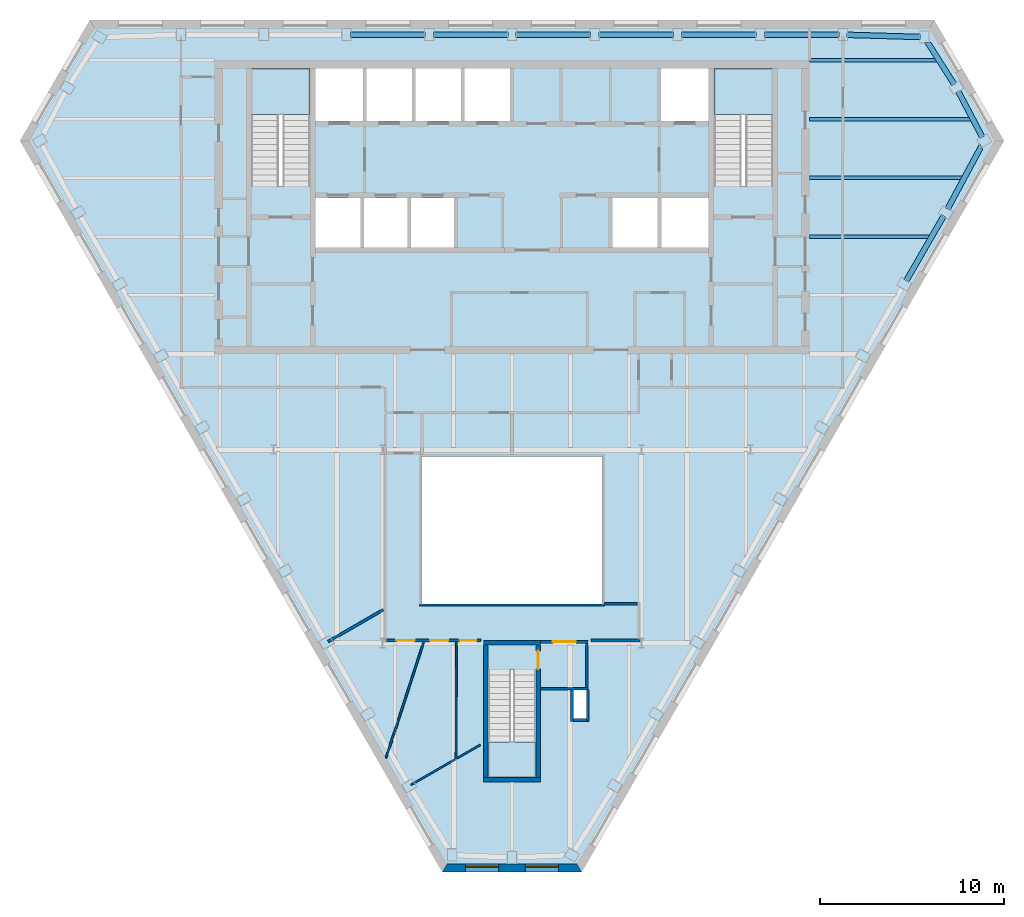
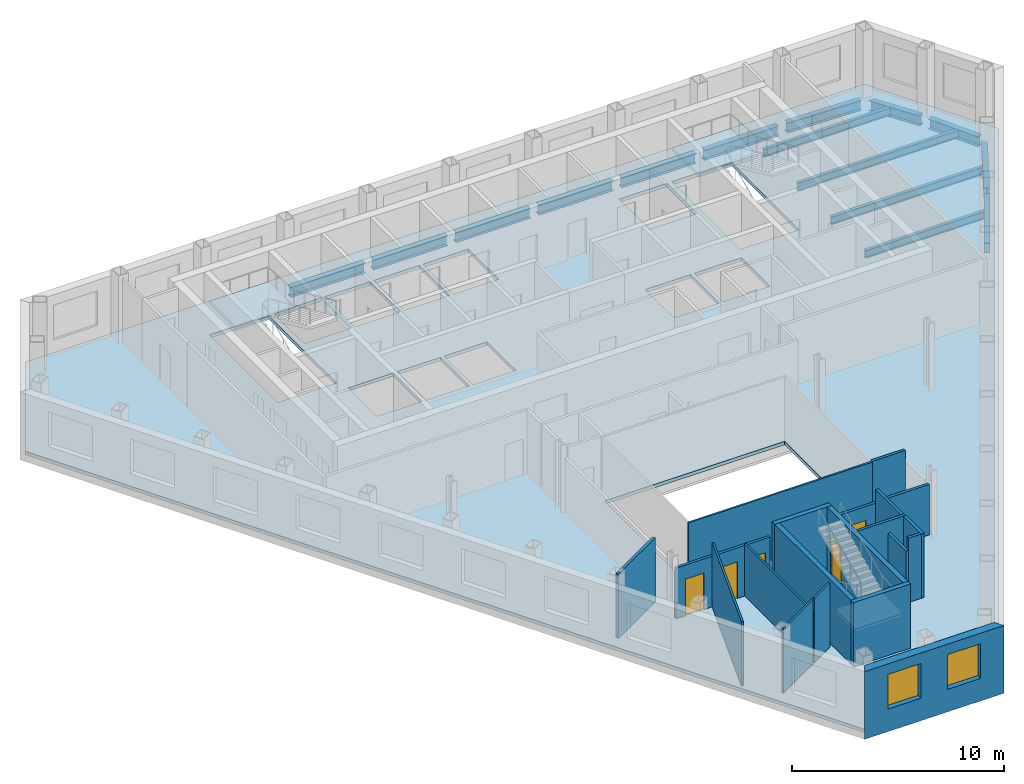
# One storey, part 3 of 10: 20 walls, 15 beams, 5 doors, 4 slabs, 2 windows, 7 openings, 3 elements without a shape of their own.
"""IFC4 building model written with IfcOpenShell, lengths in metres."""

from ifc_helpers import new_model, si_unit, direction, frame, frame_2d, origin, origin_2d, place, context, subcontext, project, spatial, polyline, rectangle, i_section, outline, extrude, clip, halfspace, material, layer, layer_set, material_profile, profile_set, type_object, element, fill, aggregate, save


model = new_model("IFC4")

# Units and contexts
model_context = context("Model", 3, precision=1e-05, world=origin(), true_north=direction((0.0, 1.0)))
body_context = subcontext(model_context, "Body", "Model", "MODEL_VIEW")
ifc_project = project(units=[si_unit("LENGTHUNIT", "METRE"), si_unit("AREAUNIT", "SQUARE_METRE"), si_unit("VOLUMEUNIT", "CUBIC_METRE"), si_unit("PLANEANGLEUNIT", "RADIAN"), si_unit("MASSUNIT", "GRAM", prefix="KILO")], contexts=[model_context])

# Site, building, storey
site_placement = place(None, origin())
site = spatial("IfcSite", under=ifc_project, at=site_placement, CompositionType="ELEMENT")
building_placement = place(site_placement, origin())
building = spatial("IfcBuilding", under=site, at=building_placement, Name="Njiva Tower", CompositionType="ELEMENT")
storey_placement = place(building_placement, frame((0.0, 0.0, 196.5)))
storey = spatial("IfcBuildingStorey", under=building, at=storey_placement, Name="L43", CompositionType="ELEMENT", Elevation=196.5)

# Beams
ifc_material_1 = material(Name="Steel S355 J2", Category="steel")
ifc_material_profile_1 = material_profile(ifc_material_1, i_section(OverallWidth=0.3, OverallDepth=0.59, WebThickness=0.013, FlangeThickness=0.025, at=origin_2d()), Name="HEA 600")
ifc_profile_set_1 = profile_set([ifc_material_profile_1], Name="Steel S355 J2")
beam_type_1 = type_object("IfcBeamType", Name="B27 Short-span spandrel beam HEA 600", PredefinedType="SPANDREL", material=ifc_profile_set_1)
beam_1_placement = place(storey_placement, frame((22.232, 19.274, -0.495), z_axis=(-0.999551735133, 0.029938750687, 0.0), x_axis=(-0.029938750687, -0.999551735133, 0.0)))
element("IfcBeam", 1, at=beam_1_placement, inside=storey, type_object=beam_type_1, Name="Short-span spandrel beam S14-B132", PredefinedType="SPANDREL", context=body_context, shape_type="SweptSolid", body=[
    extrude(i_section(OverallWidth=0.3, OverallDepth=0.59, WebThickness=0.013, FlangeThickness=0.025, at=origin_2d()), origin(), (0.0, 0.0, 1.0), 3.9748),
])
beam_2_placement = place(storey_placement, frame((17.805, 19.4, -0.495), z_axis=(-1.0, 0.0, 0.0), x_axis=(0.0, -1.0, 0.0)))
element("IfcBeam", 2, at=beam_2_placement, inside=storey, type_object=beam_type_1, Name="Short-span spandrel beam S14-B127", PredefinedType="SPANDREL", context=body_context, shape_type="SweptSolid", body=[
    extrude(i_section(OverallWidth=0.3, OverallDepth=0.59, WebThickness=0.013, FlangeThickness=0.025, at=origin_2d()), origin(), (0.0, 0.0, 1.0), 4.057),
])
beam_3_placement = place(storey_placement, frame((13.298, 19.4, -0.495), z_axis=(-1.0, 0.0, 0.0), x_axis=(0.0, -1.0, 0.0)))
element("IfcBeam", 3, at=beam_3_placement, inside=storey, type_object=beam_type_1, Name="Short-span spandrel beam S14-B122", PredefinedType="SPANDREL", context=body_context, shape_type="SweptSolid", body=[
    extrude(i_section(OverallWidth=0.3, OverallDepth=0.59, WebThickness=0.013, FlangeThickness=0.025, at=origin_2d()), origin(), (0.0, 0.0, 1.0), 4.058),
])
beam_4_placement = place(storey_placement, frame((8.79, 19.4, -0.495), z_axis=(-1.0, 0.0, 0.0), x_axis=(0.0, -1.0, 0.0)))
element("IfcBeam", 4, at=beam_4_placement, inside=storey, type_object=beam_type_1, Name="Short-span spandrel beam S14-B117", PredefinedType="SPANDREL", context=body_context, shape_type="SweptSolid", body=[
    extrude(i_section(OverallWidth=0.3, OverallDepth=0.59, WebThickness=0.013, FlangeThickness=0.025, at=origin_2d()), origin(), (0.0, 0.0, 1.0), 4.057),
])
for number, where, z_axis, x_axis, name in (
    (5, (4.283, 19.4, -0.495), (-1.0, 0.0, 0.0), (0.0, -1.0, 0.0), "Short-span spandrel beam S14-B112"),
    (6, (-0.225, 19.4, -0.495), (-1.0, 0.0, 0.0), (0.0, -1.0, 0.0), "Short-span spandrel beam S14-B109"),
):
    element("IfcBeam", number, at=place(storey_placement, frame(where, z_axis=z_axis, x_axis=x_axis)), inside=storey, type_object=beam_type_1, Name=name, PredefinedType="SPANDREL", context=body_context, shape_type="SweptSolid", body=[
        extrude(i_section(OverallWidth=0.3, OverallDepth=0.59, WebThickness=0.013, FlangeThickness=0.025, at=origin_2d()), origin(), (0.0, 0.0, 1.0), 4.058),
    ])
beam_5_placement = place(storey_placement, frame((-4.733, 19.4, -0.495), z_axis=(-1.0, 0.0, 0.0), x_axis=(0.0, -1.0, 0.0)))
element("IfcBeam", 7, at=beam_5_placement, inside=storey, type_object=beam_type_1, Name="Short-span spandrel beam S14-B104", PredefinedType="SPANDREL", context=body_context, shape_type="SweptSolid", body=[
    extrude(i_section(OverallWidth=0.3, OverallDepth=0.59, WebThickness=0.013, FlangeThickness=0.025, at=origin_2d()), origin(), (0.0, 0.0, 1.0), 4.057),
])
beam_6_placement = place(storey_placement, frame((21.481, 6.006, -0.495), z_axis=(0.500142068684, 0.865943364853, 0.0), x_axis=(-0.865943364853, 0.500142068684, 0.0)))
element("IfcBeam", 8, at=beam_6_placement, inside=storey, type_object=beam_type_1, Name="Short-span spandrel beam S14-B136", PredefinedType="SPANDREL", context=body_context, shape_type="SweptSolid", body=[
    extrude(i_section(OverallWidth=0.3, OverallDepth=0.59, WebThickness=0.013, FlangeThickness=0.025, at=origin_2d()), origin(), (0.0, 0.0, 1.0), 4.0568),
])
beam_7_placement = place(storey_placement, frame((23.731, 9.915, -0.495), z_axis=(0.473697336162, 0.880687704986, 0.0), x_axis=(-0.880687704986, 0.473697336162, 0.0)))
element("IfcBeam", 9, at=beam_7_placement, inside=storey, type_object=beam_type_1, Name="Short-span spandrel beam S14-B140", PredefinedType="SPANDREL", context=body_context, shape_type="Clipping", body=[
    clip(extrude(i_section(OverallWidth=0.3, OverallDepth=0.59, WebThickness=0.013, FlangeThickness=0.025, at=origin_2d()), origin(), (0.0, 0.0, 1.0), 3.9657), halfspace(frame((-0.026, 0.0, 3.8362), z_axis=(-0.525851211947, 0.0, 0.850576570859), x_axis=(0.0, 1.0, 0.0)), False)),
])
beam_8_placement = place(storey_placement, frame((25.616, 13.822, -0.495), z_axis=(-0.464393456364, 0.885628995509, 0.0), x_axis=(-0.885628995509, -0.464393456364, 0.0)))
element("IfcBeam", 10, at=beam_8_placement, inside=storey, type_object=beam_type_1, Name="Short-span spandrel beam S14-B141", PredefinedType="SPANDREL", context=body_context, shape_type="SweptSolid", body=[
    extrude(i_section(OverallWidth=0.3, OverallDepth=0.59, WebThickness=0.013, FlangeThickness=0.025, at=origin_2d()), origin(), (0.0, 0.0, 1.0), 2.8037),
])
beam_9_placement = place(storey_placement, frame((24.084, 16.704, -0.495), z_axis=(-0.53498990648, 0.844858449661, 0.0), x_axis=(-0.844858449661, -0.53498990648, 0.0)))
element("IfcBeam", 11, at=beam_9_placement, inside=storey, type_object=beam_type_1, Name="Short-span spandrel beam S14-B137", PredefinedType="SPANDREL", context=body_context, shape_type="Clipping", body=[
    clip(extrude(i_section(OverallWidth=0.3, OverallDepth=0.59, WebThickness=0.013, FlangeThickness=0.025, at=origin_2d()), origin(), (0.0, 0.0, 1.0), 2.7936), halfspace(frame((-0.0269, 0.0, 2.6615), z_axis=(-0.53498990648, 0.0, 0.844858449661), x_axis=(0.0, 1.0, 0.0)), False)),
])
ifc_material_profile_2 = material_profile(ifc_material_1, i_section(OverallWidth=0.19, OverallDepth=0.45, WebThickness=0.0094, FlangeThickness=0.0146, at=origin_2d()), Name="IPE 450")
ifc_profile_set_2 = profile_set([ifc_material_profile_2], Name="Steel S355 J2")
beam_type_2 = type_object("IfcBeamType", Name="B37 Floor beam to the core IPE 450", PredefinedType="BEAM", material=ifc_profile_set_2)
beam_10_placement = place(storey_placement, frame((16.2, 8.4, -0.425), z_axis=(1.0, 0.0, 0.0), x_axis=(0.0, 1.0, 0.0)))
element("IfcBeam", 12, at=beam_10_placement, inside=storey, type_object=beam_type_2, Name="Floor beam to the core S14-B007", PredefinedType="BEAM", context=body_context, shape_type="Clipping", body=[
    clip(extrude(i_section(OverallWidth=0.19, OverallDepth=0.45, WebThickness=0.0094, FlangeThickness=0.0146, at=origin_2d()), origin(), (0.0, 0.0, 1.0), 6.623), halfspace(frame((-0.025, 0.0, 6.5336), z_axis=(-0.499998009787, 0.0, 0.866026552831), x_axis=(0.0, 1.0, 0.0)), False)),
])
beam_11_placement = place(storey_placement, frame((16.2, 11.6, -0.425), z_axis=(1.0, 0.0, 0.0), x_axis=(0.0, 1.0, 0.0)))
element("IfcBeam", 13, at=beam_11_placement, inside=storey, type_object=beam_type_2, Name="Floor beam to the core S14-B008", PredefinedType="BEAM", context=body_context, shape_type="Clipping", body=[
    clip(extrude(i_section(OverallWidth=0.19, OverallDepth=0.45, WebThickness=0.0094, FlangeThickness=0.0146, at=origin_2d()), origin(), (0.0, 0.0, 1.0), 8.394), halfspace(frame((-0.0237, 0.0, 8.3105), z_axis=(-0.473769423091, 0.0, 0.880648927634), x_axis=(0.0, 1.0, 0.0)), False)),
])
beam_12_placement = place(storey_placement, frame((16.2, 14.8, -0.425), z_axis=(1.0, 0.0, 0.0), x_axis=(0.0, 1.0, 0.0)))
element("IfcBeam", 14, at=beam_12_placement, inside=storey, type_object=beam_type_2, Name="Floor beam to the core S14-B009", PredefinedType="BEAM", context=body_context, shape_type="Clipping", body=[
    clip(extrude(i_section(OverallWidth=0.19, OverallDepth=0.45, WebThickness=0.0094, FlangeThickness=0.0146, at=origin_2d()), origin(), (0.0, 0.0, 1.0), 8.86), halfspace(frame((0.0232, 0.0, 8.778), z_axis=(0.464267418007, 0.0, 0.885695074265), x_axis=(0.0, 1.0, 0.0)), False)),
])
beam_13_placement = place(storey_placement, frame((16.2, 18.0, -0.425), z_axis=(1.0, 0.0, 0.0), x_axis=(0.0, 1.0, 0.0)))
element("IfcBeam", 15, at=beam_13_placement, inside=storey, type_object=beam_type_2, Name="Floor beam to the core S14-B010", PredefinedType="BEAM", context=body_context, shape_type="Clipping", body=[
    clip(extrude(i_section(OverallWidth=0.19, OverallDepth=0.45, WebThickness=0.0094, FlangeThickness=0.0146, at=origin_2d()), origin(), (0.0, 0.0, 1.0), 7.025), halfspace(frame((0.0267, 0.0, 6.928), z_axis=(0.534902428971, 0.0, 0.84491383672), x_axis=(0.0, 1.0, 0.0)), False)),
])

# Stair, slab
ifc_material_2 = material(Name="Concrete C40/50", Category="concrete")
stair_type_1 = type_object("IfcStairType", Name="ST4 Exit stair 1500", PredefinedType="HALF_TURN_STAIR", material=ifc_material_2)
stair_1_placement = place(storey_placement, origin())
stair_1 = element("IfcStair", 16, at=stair_1_placement, inside=storey, type_object=stair_type_1, Name="Stair A", PredefinedType="HALF_TURN_STAIR")
ifc_layer_1 = layer(ifc_material_2, 0.2)
ifc_layer_set_1 = layer_set([ifc_layer_1], Name="Concrete C40/50")
slab_type_1 = type_object("IfcSlabType", Name="FL9 Stair landing 200", PredefinedType="LANDING", material=ifc_layer_set_1)
slab_1_placement = place(storey_placement, frame((0.0, 0.0, 1.75)))
slab_1 = element("IfcSlab", 17, at=slab_1_placement, type_object=slab_type_1, Name="ST-A landing 1", PredefinedType="LANDING", context=body_context, shape_type="SweptSolid", body=[
    extrude(outline(polyline([(-14.206, 15.06), (-10.994, 15.06), (-10.994, 17.55), (-14.206, 17.55), (-14.206, 15.06)])), origin(), (0.0, 0.0, 1.0), 0.2),
])
aggregate(stair_1, [slab_1])

stair_2_placement = place(storey_placement, origin())
stair_2 = element("IfcStair", 18, at=stair_2_placement, inside=storey, type_object=stair_type_1, Name="Stair B", PredefinedType="HALF_TURN_STAIR")
slab_2_placement = place(storey_placement, frame((0.0, 0.0, 1.75)))
slab_2 = element("IfcSlab", 19, at=slab_2_placement, type_object=slab_type_1, Name="ST-B landing 1", PredefinedType="LANDING", context=body_context, shape_type="SweptSolid", body=[
    extrude(outline(polyline([(10.994, 15.06), (14.206, 15.06), (14.206, 17.55), (10.994, 17.55), (10.994, 15.06)])), origin(), (0.0, 0.0, 1.0), 0.2),
])
aggregate(stair_2, [slab_2])

stair_type_2 = type_object("IfcStairType", Name="ST1 Exit stair 1250", PredefinedType="HALF_TURN_STAIR", material=ifc_material_2)
stair_3_placement = place(storey_placement, origin())
stair_3 = element("IfcStair", 20, at=stair_3_placement, inside=storey, type_object=stair_type_2, Name="Stair C", PredefinedType="HALF_TURN_STAIR")
slab_3_placement = place(storey_placement, frame((0.0, 0.0, 1.75)))
slab_3 = element("IfcSlab", 21, at=slab_3_placement, type_object=slab_type_1, Name="ST-C landing 1", PredefinedType="LANDING", context=body_context, shape_type="SweptSolid", body=[
    extrude(outline(polyline([(-1.306, -21.05), (1.306, -21.05), (1.306, -19.12), (-1.306, -19.12), (-1.306, -21.05)])), origin(), (0.0, 0.0, 1.0), 0.2),
])
aggregate(stair_3, [slab_3])

# Slab
ifc_material_3 = material(Name="Concrete C30/37", Category="concrete")
ifc_layer_2 = layer(ifc_material_3, 0.2)
ifc_layer_set_2 = layer_set([ifc_layer_2], Name="Concrete C30/37")
slab_type_2 = type_object("IfcSlabType", Name="SL16 Composite floor slab 200", PredefinedType="FLOOR", material=ifc_layer_set_2)
slab_4_placement = place(storey_placement, frame((0.0, 0.0, -0.2)))
element("IfcSlab", 22, at=slab_4_placement, inside=storey, type_object=slab_type_2, Name="Floor slab L43", PredefinedType="FLOOR", context=body_context, shape_type="SweptSolid", body=[
    extrude(outline(polyline([(26.5402, 13.6182), (3.6701, -25.994), (-3.6701, -25.994), (-26.5402, 13.6182), (-22.8701, 19.975), (22.8701, 19.975), (26.5402, 13.6182)]), holes=[polyline([(10.994, 11.13), (14.206, 11.13), (14.206, 17.55), (10.994, 17.55), (10.994, 11.13)]), polyline([(8.125, 14.7), (10.7, 14.7), (10.7, 17.55), (8.125, 17.55), (8.125, 14.7)]), polyline([(8.1333, 7.8), (10.7, 7.8), (10.7, 10.5), (8.1333, 10.5), (8.1333, 7.8)]), polyline([(5.4667, 7.8), (7.9333, 7.8), (7.9333, 10.5), (5.4667, 10.5), (5.4667, 7.8)]), polyline([(4.9, -11.6), (4.9, -3.6), (-4.9, -3.6), (-4.9, -11.6), (4.9, -11.6)]), polyline([(3.35, -17.85), (4.05, -17.85), (4.05, -16.3), (3.35, -16.3), (3.35, -17.85)]), polyline([(-1.306, -21.05), (1.306, -21.05), (1.306, -15.19), (-1.306, -15.19), (-1.306, -21.05)]), polyline([(-2.575, 14.7), (-0.1, 14.7), (-0.1, 17.55), (-2.575, 17.55), (-2.575, 14.7)]), polyline([(-5.25, 14.7), (-2.775, 14.7), (-2.775, 17.55), (-5.25, 17.55), (-5.25, 14.7)]), polyline([(-5.5, 7.8), (-3.15, 7.8), (-3.15, 10.5), (-5.5, 10.5), (-5.5, 7.8)]), polyline([(-7.925, 14.7), (-5.45, 14.7), (-5.45, 17.55), (-7.925, 17.55), (-7.925, 14.7)]), polyline([(-8.05, 7.8), (-5.7, 7.8), (-5.7, 10.5), (-8.05, 10.5), (-8.05, 7.8)]), polyline([(-10.7, 14.7), (-8.125, 14.7), (-8.125, 17.55), (-10.7, 17.55), (-10.7, 14.7)]), polyline([(-8.25, 7.8), (-8.25, 10.5), (-10.7, 10.5), (-10.7, 7.8), (-8.25, 7.8)]), polyline([(-14.206, 11.13), (-10.994, 11.13), (-10.994, 17.55), (-14.206, 17.55), (-14.206, 11.13)])]), origin(), (0.0, 0.0, 1.0), 0.2),
])

# Walls
ifc_material_4 = material(Name="Gypsum board on steel studs", Category="gypsum")
ifc_layer_3 = layer(ifc_material_4, 0.1)
ifc_layer_set_3 = layer_set([ifc_layer_3], Name="Gypsum board on steel studs")
wall_type_1 = type_object("IfcWallType", Name="WT20 Gypsum partition 100", PredefinedType="PARTITIONING", material=ifc_layer_set_3)
wall_1_placement = place(storey_placement, frame((-6.866, -20.008, 0.0), z_axis=(0.0, 0.0, 1.0), x_axis=(0.309446795586, 0.95091675803, 0.0)))
element("IfcWall", 23, at=wall_1_placement, inside=storey, type_object=wall_type_1, Name="Partition S14-P010", PredefinedType="PARTITIONING", context=body_context, shape_type="SweptSolid", body=[
    extrude(rectangle(XDim=6.6441, YDim=0.1, at=frame_2d((3.322, 0.0))), origin(), (0.0, 0.0, 1.0), 3.7),
])
wall_2_placement = place(storey_placement, frame((-5.505, -21.465, 0.0), z_axis=(0.0, 0.0, 1.0), x_axis=(0.866269282503, 0.49957735156, 0.0)))
element("IfcWall", 24, at=wall_2_placement, inside=storey, type_object=wall_type_1, Name="Partition S14-P013", PredefinedType="PARTITIONING", context=body_context, shape_type="SweptSolid", body=[
    extrude(rectangle(XDim=2.7844, YDim=0.1, at=frame_2d((1.3922, 0.0))), origin(), (0.0, 0.0, 1.0), 3.7),
])
wall_3_placement = place(storey_placement, frame((-3.056, -20.051, 0.0), z_axis=(0.0, 0.0, 1.0), x_axis=(0.002979911487, 0.999995560054, 0.0)))
element("IfcWall", 25, at=wall_3_placement, inside=storey, type_object=wall_type_1, Name="Partition S14-P015", PredefinedType="PARTITIONING", context=body_context, shape_type="SweptSolid", body=[
    extrude(rectangle(XDim=6.376, YDim=0.1, at=frame_2d((3.188, 0.0))), origin(), (0.0, 0.0, 1.0), 3.01),
])
wall_4_placement = place(storey_placement, frame((-2.981, -20.009, 0.0), z_axis=(0.0, 0.0, 1.0), x_axis=(0.866070766281, 0.499921421619, 0.0)))
element("IfcWall", 26, at=wall_4_placement, inside=storey, type_object=wall_type_1, Name="Partition S14-P016", PredefinedType="PARTITIONING", context=body_context, shape_type="SweptSolid", body=[
    extrude(rectangle(XDim=1.4502, YDim=0.1, at=frame_2d((0.7251, 0.0))), origin(), (0.0, 0.0, 1.0), 3.7),
])
ifc_layer_4 = layer(ifc_material_4, 0.15)
ifc_layer_set_4 = layer_set([ifc_layer_4], Name="Gypsum board on steel studs")
wall_type_2 = type_object("IfcWallType", Name="WT21 Compartment wall 150", PredefinedType="PARTITIONING", material=ifc_layer_set_4)
wall_5_placement = place(storey_placement, frame((-10.013, -13.658, 0.0), z_axis=(0.0, 0.0, 1.0), x_axis=(0.865906746611, 0.500205463959, 0.0)))
element("IfcWall", 27, at=wall_5_placement, inside=storey, type_object=wall_type_2, Name="Partition S14-P006", PredefinedType="PARTITIONING", context=body_context, shape_type="SweptSolid", body=[
    extrude(rectangle(XDim=3.4646, YDim=0.15, at=frame_2d((1.7323, 0.0))), origin(), (0.0, 0.0, 1.0), 3.7),
])

# Wall, openings, doors
wall_6_placement = place(storey_placement, frame((-6.825, -13.6, 0.0), z_axis=(0.0, 0.0, 1.0), x_axis=(1.0, 0.0, 0.0)))
wall_6 = element("IfcWall", 28, at=wall_6_placement, inside=storey, type_object=wall_type_2, Name="Partition S14-P011", PredefinedType="PARTITIONING", context=body_context, shape_type="SweptSolid", body=[
    extrude(rectangle(XDim=5.125, YDim=0.15, at=frame_2d((2.5625, 0.0))), origin(), (0.0, 0.0, 1.0), 2.91),
])
opening_1_placement = place(wall_6_placement, frame((0.522, 0.0, 0.0)))
opening_1 = element("IfcOpeningElement", 29, at=opening_1_placement, cuts=wall_6, Name="Opening S14-D006", PredefinedType="OPENING", context=body_context, shape_type="SweptSolid", body=[
    extrude(rectangle(XDim=1.0, YDim=2.1, at=frame_2d((0.5, 1.05))), frame((0.0, 0.085, 0.0), z_axis=(0.0, -1.0, 0.0), x_axis=(1.0, 0.0, 0.0)), (0.0, 0.0, 1.0), 0.17),
])
opening_2_placement = place(wall_6_placement, frame((2.359, 0.0, 0.0)))
opening_2 = element("IfcOpeningElement", 30, at=opening_2_placement, cuts=wall_6, Name="Opening S14-D007", PredefinedType="OPENING", context=body_context, shape_type="SweptSolid", body=[
    extrude(rectangle(XDim=1.0, YDim=2.1, at=frame_2d((0.5, 1.05))), frame((0.0, 0.085, 0.0), z_axis=(0.0, -1.0, 0.0), x_axis=(1.0, 0.0, 0.0)), (0.0, 0.0, 1.0), 0.17),
])
opening_3_placement = place(wall_6_placement, frame((3.988, 0.0, 0.0)))
opening_3 = element("IfcOpeningElement", 31, at=opening_3_placement, cuts=wall_6, Name="Opening S14-D008", PredefinedType="OPENING", context=body_context, shape_type="SweptSolid", body=[
    extrude(rectangle(XDim=0.9, YDim=2.1, at=frame_2d((0.45, 1.05))), frame((0.0, 0.085, 0.0), z_axis=(0.0, -1.0, 0.0), x_axis=(1.0, 0.0, 0.0)), (0.0, 0.0, 1.0), 0.17),
])
ifc_material_5 = material(Name="Steel fire door set", Category="steel")
door_type_1 = type_object("IfcDoorType", Name="D36 Fire door 900x2100", OperationType="SINGLE_SWING_LEFT", PredefinedType="DOOR", material=ifc_material_5)
door_1_placement = place(opening_3_placement, origin())
door_1 = element("IfcDoor", 32, at=door_1_placement, inside=storey, type_object=door_type_1, Name="Door S14-D008", OperationType="SINGLE_SWING_RIGHT", OverallHeight=2.1, OverallWidth=0.9, PredefinedType="DOOR", context=body_context, shape_type="SweptSolid", body=[
    extrude(rectangle(XDim=0.9, YDim=2.1, at=frame_2d((0.45, 1.05))), frame((0.0, 0.025, 0.0), z_axis=(0.0, -1.0, 0.0), x_axis=(1.0, 0.0, 0.0)), (0.0, 0.0, 1.0), 0.05),
])
fill(opening_3, door_1)
door_type_2 = type_object("IfcDoorType", Name="D37 Fire door 1000x2100", OperationType="SINGLE_SWING_LEFT", PredefinedType="DOOR", material=ifc_material_5)
door_2_placement = place(opening_1_placement, origin())
door_2 = element("IfcDoor", 33, at=door_2_placement, inside=storey, type_object=door_type_2, Name="Door S14-D006", OperationType="SINGLE_SWING_LEFT", OverallHeight=2.1, OverallWidth=1.0, PredefinedType="DOOR", context=body_context, shape_type="SweptSolid", body=[
    extrude(rectangle(XDim=1.0, YDim=2.1, at=frame_2d((0.5, 1.05))), frame((0.0, 0.025, 0.0), z_axis=(0.0, -1.0, 0.0), x_axis=(1.0, 0.0, 0.0)), (0.0, 0.0, 1.0), 0.05),
])
fill(opening_1, door_2)
door_3_placement = place(opening_2_placement, origin())
door_3 = element("IfcDoor", 34, at=door_3_placement, inside=storey, type_object=door_type_2, Name="Door S14-D007", OperationType="SINGLE_SWING_RIGHT", OverallHeight=2.1, OverallWidth=1.0, PredefinedType="DOOR", context=body_context, shape_type="SweptSolid", body=[
    extrude(rectangle(XDim=1.0, YDim=2.1, at=frame_2d((0.5, 1.05))), frame((0.0, 0.025, 0.0), z_axis=(0.0, -1.0, 0.0), x_axis=(1.0, 0.0, 0.0)), (0.0, 0.0, 1.0), 0.05),
])
fill(opening_2, door_3)

# Walls
wall_7_placement = place(storey_placement, frame((4.3, -13.6, 0.0), z_axis=(0.0, 0.0, 1.0), x_axis=(1.0, 0.0, 0.0)))
element("IfcWall", 35, at=wall_7_placement, inside=storey, type_object=wall_type_2, Name="Partition S14-P018", PredefinedType="PARTITIONING", context=body_context, shape_type="SweptSolid", body=[
    extrude(rectangle(XDim=2.675, YDim=0.15, at=frame_2d((1.3375, 0.0))), origin(), (0.0, 0.0, 1.0), 2.91),
])
wall_8_placement = place(storey_placement, frame((5.02, -11.6, 0.0), z_axis=(0.0, 0.0, 1.0), x_axis=(1.0, 0.0, 0.0)))
element("IfcWall", 36, at=wall_8_placement, inside=storey, type_object=wall_type_2, Name="Partition S14-P019", PredefinedType="PARTITIONING", context=body_context, shape_type="SweptSolid", body=[
    extrude(rectangle(XDim=1.805, YDim=0.15, at=frame_2d((0.9025, 0.0))), origin(), (0.0, 0.0, 1.0), 3.7),
])
ifc_material_6 = material(Name="Blockwork", Category="masonry")
ifc_layer_5 = layer(ifc_material_6, 0.15)
ifc_layer_set_5 = layer_set([ifc_layer_5], Name="Blockwork")
wall_type_3 = type_object("IfcWallType", Name="WT4 Stair partition 150", PredefinedType="PARTITIONING", material=ifc_layer_set_5)
wall_9_placement = place(storey_placement, frame((1.55, -16.225, 0.0), z_axis=(0.0, 0.0, 1.0), x_axis=(1.0, 0.0, 0.0)))
element("IfcWall", 37, at=wall_9_placement, inside=storey, type_object=wall_type_3, Name="Stair C vestibule wall south", PredefinedType="PARTITIONING", context=body_context, shape_type="SweptSolid", body=[
    extrude(rectangle(XDim=2.6, YDim=0.15, at=frame_2d((1.3, 0.0))), origin(), (0.0, 0.0, 1.0), 3.7),
])
wall_10_placement = place(storey_placement, frame((4.075, -16.15, 0.0), z_axis=(0.0, 0.0, 1.0), x_axis=(0.0, 1.0, 0.0)))
element("IfcWall", 38, at=wall_10_placement, inside=storey, type_object=wall_type_3, Name="Stair C vestibule wall east", PredefinedType="PARTITIONING", context=body_context, shape_type="SweptSolid", body=[
    extrude(rectangle(XDim=2.4, YDim=0.15, at=frame_2d((1.2, 0.0))), origin(), (0.0, 0.0, 1.0), 3.7),
])

# Wall, opening, door
wall_11_placement = place(storey_placement, frame((1.55, -13.675, 0.0), z_axis=(0.0, 0.0, 1.0), x_axis=(1.0, 0.0, 0.0)))
wall_11 = element("IfcWall", 39, at=wall_11_placement, inside=storey, type_object=wall_type_3, Name="Stair C vestibule wall north", PredefinedType="PARTITIONING", context=body_context, shape_type="SweptSolid", body=[
    extrude(rectangle(XDim=2.6, YDim=0.15, at=frame_2d((1.3, 0.0))), origin(), (0.0, 0.0, 1.0), 2.91),
])
opening_4_placement = place(wall_11_placement, frame((0.675, 0.0, 0.0)))
opening_4 = element("IfcOpeningElement", 40, at=opening_4_placement, cuts=wall_11, Name="Opening S14-D940", PredefinedType="OPENING", context=body_context, shape_type="SweptSolid", body=[
    extrude(rectangle(XDim=1.25, YDim=2.1, at=frame_2d((0.625, 1.05))), frame((0.0, 0.085, 0.0), z_axis=(0.0, -1.0, 0.0), x_axis=(1.0, 0.0, 0.0)), (0.0, 0.0, 1.0), 0.17),
])
ifc_material_7 = material(Name="Glazed steel fire door", Category="steel")
door_type_3 = type_object("IfcDoorType", Name="D8 Vestibule corridor door 1250x2100 glazed", OperationType="SINGLE_SWING_LEFT", PredefinedType="DOOR", material=ifc_material_7)
door_4_placement = place(opening_4_placement, origin())
door_4 = element("IfcDoor", 41, at=door_4_placement, inside=storey, type_object=door_type_3, Name="Stair vestibule corridor door", OperationType="SINGLE_SWING_RIGHT", OverallHeight=2.1, OverallWidth=1.25, PredefinedType="DOOR", context=body_context, shape_type="SweptSolid", body=[
    extrude(rectangle(XDim=1.25, YDim=2.1, at=frame_2d((0.625, 1.05))), frame((0.0, 0.025, 0.0), z_axis=(0.0, -1.0, 0.0), x_axis=(1.0, 0.0, 0.0)), (0.0, 0.0, 1.0), 0.05),
])
fill(opening_4, door_4)

# Walls
wall_12_placement = place(storey_placement, frame((3.275, -18.0, 0.0), z_axis=(0.0, 0.0, 1.0), x_axis=(0.0, 1.0, 0.0)))
element("IfcWall", 42, at=wall_12_placement, inside=storey, type_object=wall_type_3, Name="Stair C pressurisation shaft wall", PredefinedType="PARTITIONING", context=body_context, shape_type="SweptSolid", body=[
    extrude(rectangle(XDim=1.7, YDim=0.15, at=frame_2d((0.85, 0.0))), origin(), (0.0, 0.0, 1.0), 3.01),
])
wall_13_placement = place(storey_placement, frame((3.35, -17.925, 0.0), z_axis=(0.0, 0.0, 1.0), x_axis=(1.0, 0.0, 0.0)))
element("IfcWall", 43, at=wall_13_placement, inside=storey, type_object=wall_type_3, Name="Stair C pressurisation shaft wall", PredefinedType="PARTITIONING", context=body_context, shape_type="SweptSolid", body=[
    extrude(rectangle(XDim=0.7, YDim=0.15, at=frame_2d((0.35, 0.0))), origin(), (0.0, 0.0, 1.0), 3.7),
])
wall_14_placement = place(storey_placement, frame((4.125, -18.0, 0.0), z_axis=(0.0, 0.0, 1.0), x_axis=(0.0, 1.0, 0.0)))
element("IfcWall", 44, at=wall_14_placement, inside=storey, type_object=wall_type_3, Name="Stair C pressurisation shaft wall", PredefinedType="PARTITIONING", context=body_context, shape_type="SweptSolid", body=[
    extrude(rectangle(XDim=1.7, YDim=0.15, at=frame_2d((0.85, 0.0))), origin(), (0.0, 0.0, 1.0), 3.7),
])
ifc_layer_6 = layer(ifc_material_2, 0.25)
ifc_layer_set_6 = layer_set([ifc_layer_6], Name="Concrete C40/50")
wall_type_4 = type_object("IfcWallType", Name="WT9 Stair enclosure wall 250", PredefinedType="SHEAR", material=ifc_layer_set_6)
wall_15_placement = place(storey_placement, frame((-1.425, -21.05, 0.0), z_axis=(0.0, 0.0, 1.0), x_axis=(0.0, 1.0, 0.0)))
element("IfcWall", 45, at=wall_15_placement, inside=storey, type_object=wall_type_4, Name="Stair C wall west", PredefinedType="SHEAR", context=body_context, shape_type="SweptSolid", body=[
    extrude(rectangle(XDim=7.2, YDim=0.25, at=frame_2d((3.6, 0.0))), origin(), (0.0, 0.0, 1.0), 3.7),
])

# Wall, opening, door
wall_16_placement = place(storey_placement, frame((1.425, -21.05, 0.0), z_axis=(0.0, 0.0, 1.0), x_axis=(0.0, 1.0, 0.0)))
wall_16 = element("IfcWall", 46, at=wall_16_placement, inside=storey, type_object=wall_type_4, Name="Stair C wall east", PredefinedType="SHEAR", context=body_context, shape_type="SweptSolid", body=[
    extrude(rectangle(XDim=7.2, YDim=0.25, at=frame_2d((3.6, 0.0))), origin(), (0.0, 0.0, 1.0), 3.7),
])
opening_5_placement = place(wall_16_placement, frame((5.89, 0.0, 0.0)))
opening_5 = element("IfcOpeningElement", 47, at=opening_5_placement, cuts=wall_16, Name="Opening S14-D939", PredefinedType="OPENING", context=body_context, shape_type="SweptSolid", body=[
    extrude(rectangle(XDim=1.0, YDim=2.1, at=frame_2d((0.5, 1.05))), frame((0.0, 0.135, 0.0), z_axis=(0.0, -1.0, 0.0), x_axis=(1.0, 0.0, 0.0)), (0.0, 0.0, 1.0), 0.27),
])
door_type_4 = type_object("IfcDoorType", Name="D9 Stair vestibule door 1000x2100 glazed", OperationType="SINGLE_SWING_LEFT", PredefinedType="DOOR", material=ifc_material_7)
door_5_placement = place(opening_5_placement, origin())
door_5 = element("IfcDoor", 48, at=door_5_placement, inside=storey, type_object=door_type_4, Name="Stair C door", OperationType="SINGLE_SWING_LEFT", OverallHeight=2.1, OverallWidth=1.0, PredefinedType="DOOR", context=body_context, shape_type="SweptSolid", body=[
    extrude(rectangle(XDim=1.0, YDim=2.1, at=frame_2d((0.5, 1.05))), frame((0.0, 0.025, 0.0), z_axis=(0.0, -1.0, 0.0), x_axis=(1.0, 0.0, 0.0)), (0.0, 0.0, 1.0), 0.05),
])
fill(opening_5, door_5)

# Walls
for number, where, z_axis, x_axis, name in (
    (49, (-1.55, -21.175, 0.0), (0.0, 0.0, 1.0), (1.0, 0.0, 0.0), "Stair C wall south"),
    (50, (-1.55, -13.725, 0.0), (0.0, 0.0, 1.0), (1.0, 0.0, 0.0), "Stair C wall north"),
):
    element("IfcWall", number, at=place(storey_placement, frame(where, z_axis=z_axis, x_axis=x_axis)), inside=storey, type_object=wall_type_4, Name=name, PredefinedType="SHEAR", context=body_context, shape_type="SweptSolid", body=[
        extrude(rectangle(XDim=3.1, YDim=0.25, at=frame_2d((1.55, 0.0))), origin(), (0.0, 0.0, 1.0), 3.7),
    ])

# Wall, openings, windows
ifc_material_8 = material(Name="Brick masonry, buff", Category="masonry")
ifc_layer_7 = layer(ifc_material_8, 0.45)
ifc_layer_set_7 = layer_set([ifc_layer_7], Name="Brick masonry, buff")
wall_type_5 = type_object("IfcWallType", Name="WT94 Brick pier and spandrel wall 450, buff", PredefinedType="SOLIDWALL", material=ifc_layer_set_7)
wall_17_placement = place(storey_placement, frame((-3.6701, -25.994, -0.4), z_axis=(0.0, 0.0, 1.0), x_axis=(1.0, 0.0, 0.0)))
wall_17 = element("IfcWall", 51, at=wall_17_placement, inside=storey, type_object=wall_type_5, Name="Facade wall S", PredefinedType="SOLIDWALL", context=body_context, shape_type="SweptSolid", body=[
    extrude(outline(polyline([(-0.1299, -0.225), (7.4701, -0.225), (7.2103, 0.225), (0.1299, 0.225), (-0.1299, -0.225)])), origin(), (0.0, 0.0, 1.0), 3.9),
])
opening_6_placement = place(wall_17_placement, frame((1.1394, 0.0, 1.3)))
opening_6 = element("IfcOpeningElement", 52, at=opening_6_placement, cuts=wall_17, Name="Opening S14-W21", PredefinedType="OPENING", context=body_context, shape_type="SweptSolid", body=[
    extrude(rectangle(XDim=1.8, YDim=2.0, at=frame_2d((0.9, 1.0))), frame((0.0, 0.235, 0.0), z_axis=(0.0, -1.0, 0.0), x_axis=(1.0, 0.0, 0.0)), (0.0, 0.0, 1.0), 0.47),
])
opening_7_placement = place(wall_17_placement, frame((4.4007, 0.0, 1.3)))
opening_7 = element("IfcOpeningElement", 53, at=opening_7_placement, cuts=wall_17, Name="Opening S14-W22", PredefinedType="OPENING", context=body_context, shape_type="SweptSolid", body=[
    extrude(rectangle(XDim=1.8, YDim=2.0, at=frame_2d((0.9, 1.0))), frame((0.0, 0.235, 0.0), z_axis=(0.0, -1.0, 0.0), x_axis=(1.0, 0.0, 0.0)), (0.0, 0.0, 1.0), 0.47),
])
ifc_material_9 = material(Name="Clear glazing in aluminium frame", Category="aluminium")
window_type = type_object("IfcWindowType", Name="W94 Deep-set window 1800x2000", PartitioningType="SINGLE_PANEL", PredefinedType="WINDOW", material=ifc_material_9)
window_1_placement = place(opening_6_placement, origin())
window_1 = element("IfcWindow", 54, at=window_1_placement, inside=storey, type_object=window_type, Name="Window", OverallHeight=2.0, OverallWidth=1.8, PartitioningType="SINGLE_PANEL", PredefinedType="WINDOW", context=body_context, shape_type="SweptSolid", body=[
    extrude(rectangle(XDim=1.8, YDim=2.0, at=frame_2d((0.9, 1.0))), frame((0.0, 0.105, 0.0), z_axis=(0.0, -1.0, 0.0), x_axis=(1.0, 0.0, 0.0)), (0.0, 0.0, 1.0), 0.06),
])
fill(opening_6, window_1)
window_2_placement = place(opening_7_placement, origin())
window_2 = element("IfcWindow", 55, at=window_2_placement, inside=storey, type_object=window_type, Name="Window", OverallHeight=2.0, OverallWidth=1.8, PartitioningType="SINGLE_PANEL", PredefinedType="WINDOW", context=body_context, shape_type="SweptSolid", body=[
    extrude(rectangle(XDim=1.8, YDim=2.0, at=frame_2d((0.9, 1.0))), frame((0.0, 0.105, 0.0), z_axis=(0.0, -1.0, 0.0), x_axis=(1.0, 0.0, 0.0)), (0.0, 0.0, 1.0), 0.06),
])
fill(opening_7, window_2)

# Wall
ifc_material_10 = material(Name="Fire-resisting glazing EI 90", Category="glass")
ifc_layer_8 = layer(ifc_material_10, 0.1)
ifc_layer_set_8 = layer_set([ifc_layer_8], Name="Fire-resisting glazing EI 90")
wall_type_6 = type_object("IfcWallType", Name="WT95 Fire-resisting glazed screen EI 90", PredefinedType="PARTITIONING", material=ifc_layer_set_8)
wall_18_placement = place(storey_placement, frame((-5.02, -11.67, 0.0), z_axis=(0.0, 0.0, 1.0), x_axis=(1.0, 0.0, 0.0)))
element("IfcWall", 56, at=wall_18_placement, inside=storey, type_object=wall_type_6, Name="Atrium fire screen south", PredefinedType="PARTITIONING", context=body_context, shape_type="SweptSolid", body=[
    extrude(rectangle(XDim=10.04, YDim=0.1, at=frame_2d((5.02, 0.0))), origin(), (0.0, 0.0, 1.0), 3.7),
])

save(model, "model.ifc")
